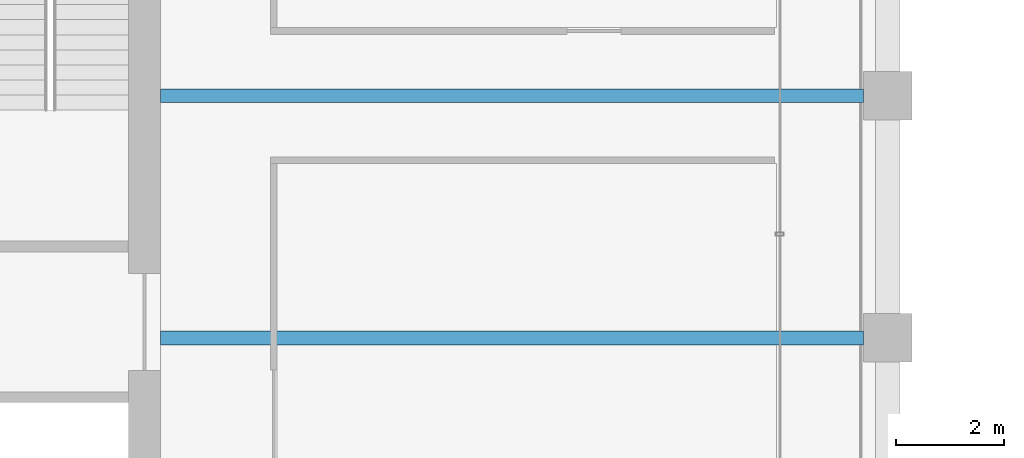
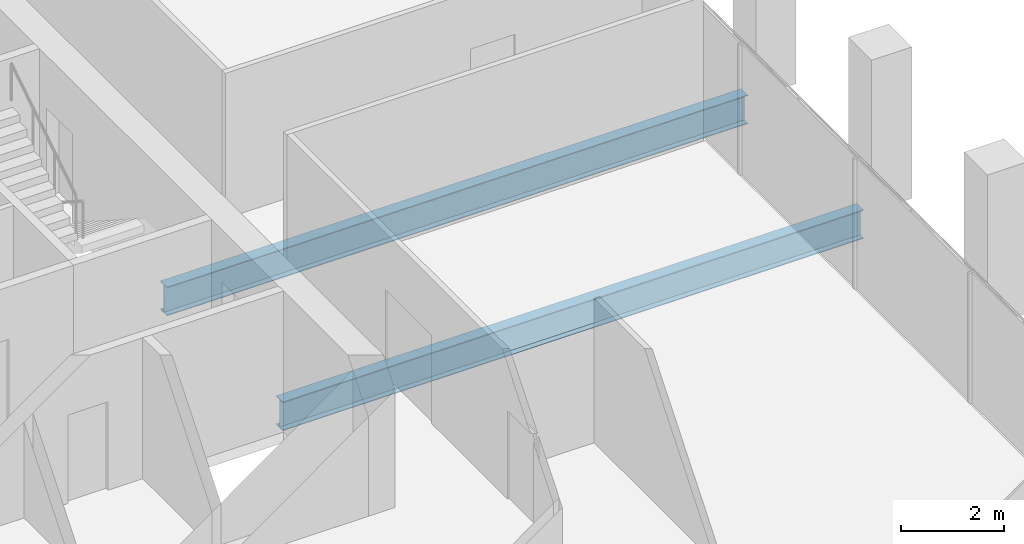
# One storey, part 16 of 40: 2 beams.
"""IFC4 building model written with IfcOpenShell, lengths in metres."""

from ifc_helpers import new_model, si_unit, direction, frame, origin, origin_2d, place, context, subcontext, project, spatial, i_section, extrude, material, material_profile, profile_set, type_object, element, save


model = new_model("IFC4")

# Units and contexts
model_context = context("Model", 3, precision=1e-05, world=origin(), true_north=direction((0.0, 1.0)))
body_context = subcontext(model_context, "Body", "Model", "MODEL_VIEW")
ifc_project = project(units=[si_unit("LENGTHUNIT", "METRE"), si_unit("AREAUNIT", "SQUARE_METRE"), si_unit("VOLUMEUNIT", "CUBIC_METRE"), si_unit("PLANEANGLEUNIT", "RADIAN"), si_unit("MASSUNIT", "GRAM", prefix="KILO")], contexts=[model_context])

# Site, building, storey
site_placement = place(None, origin())
site = spatial("IfcSite", under=ifc_project, at=site_placement, CompositionType="ELEMENT")
building_placement = place(site_placement, origin())
building = spatial("IfcBuilding", under=site, at=building_placement, Name="Altepetl Exchange Towers", CompositionType="ELEMENT")
storey_placement = place(building_placement, frame((0.0, 0.0, 169.0)))
storey = spatial("IfcBuildingStorey", under=building, at=storey_placement, Name="L42", CompositionType="ELEMENT", Elevation=169.0)

# Beams
ifc_material = material(Name="Steel S355", Category="steel")
ifc_material_profile = material_profile(ifc_material, i_section(OverallWidth=0.25390625, OverallDepth=0.68408203125, WebThickness=0.012451171875, FlangeThickness=0.018798828125, at=origin_2d()), Name="W27X94")
ifc_profile_set = profile_set([ifc_material_profile], Name="Steel S355")
beam_type = type_object("IfcBeamType", Name="Floor beam W27X94", PredefinedType="BEAM", material=ifc_profile_set)
for number, where, z_axis, x_axis, name in (
    (1, (58.5, 45.0, -0.491943359375), (1.0, 0.0, 0.0), (0.0, 1.0, 0.0), "bm:A:L42:009"),
    (2, (58.5, 49.5, -0.491943359375), (1.0, 0.0, 0.0), (0.0, 1.0, 0.0), "bm:A:L42:010"),
):
    element("IfcBeam", number, at=place(storey_placement, frame(where, z_axis=z_axis, x_axis=x_axis)), inside=storey, type_object=beam_type, Name=name, PredefinedType="BEAM", context=body_context, shape_type="SweptSolid", body=[
        extrude(i_section(OverallWidth=0.25390625, OverallDepth=0.68408203125, WebThickness=0.012451171875, FlangeThickness=0.018798828125, at=origin_2d()), origin(), (0.0, 0.0, 1.0), 13.050048828125),
    ])

save(model, "model.ifc")
